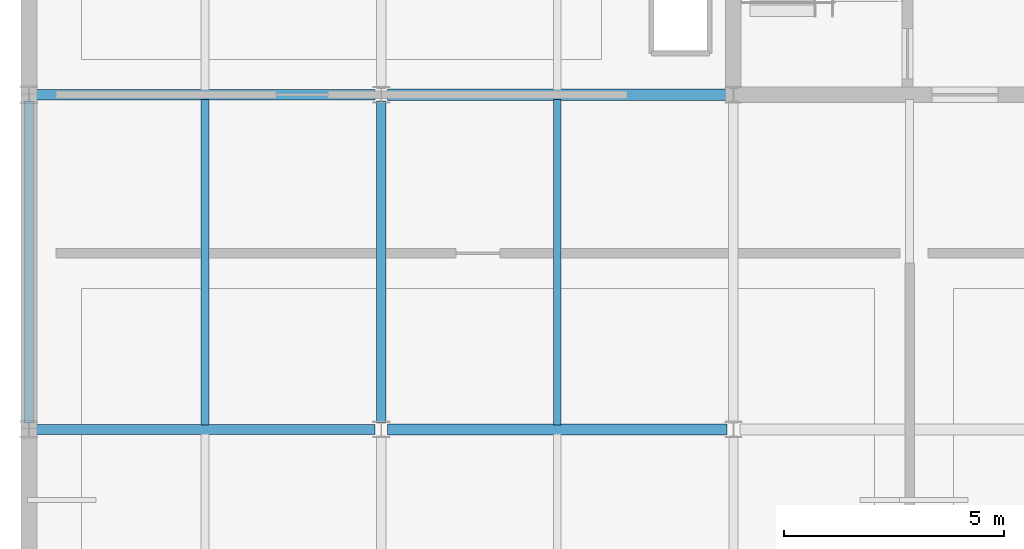
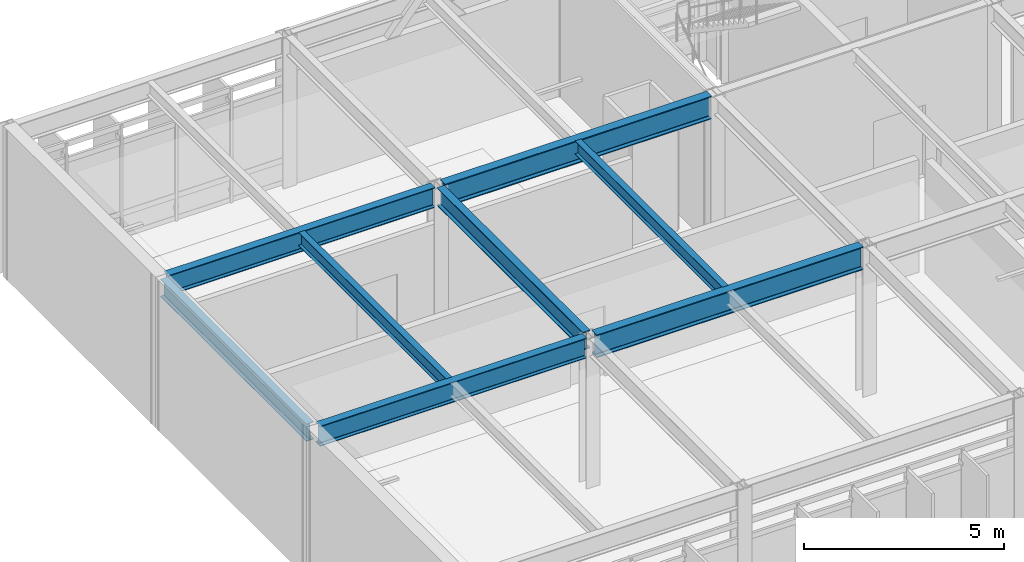
# One storey, part 23 of 104: 8 beams.
"""IFC4 building model written with IfcOpenShell, lengths in metres."""

from ifc_helpers import new_model, si_unit, direction, frame, origin, origin_2d, place, context, subcontext, project, spatial, i_section, extrude, material, material_profile, profile_set, type_object, element, save


model = new_model("IFC4")

# Units and contexts
model_context = context("Model", 3, precision=1e-05, world=origin(), true_north=direction((0.0, 1.0)))
body_context = subcontext(model_context, "Body", "Model", "MODEL_VIEW")
ifc_project = project(units=[si_unit("LENGTHUNIT", "METRE"), si_unit("AREAUNIT", "SQUARE_METRE"), si_unit("VOLUMEUNIT", "CUBIC_METRE"), si_unit("PLANEANGLEUNIT", "RADIAN"), si_unit("MASSUNIT", "GRAM", prefix="KILO")], contexts=[model_context])

# Site, building, storey
site_placement = place(None, origin())
site = spatial("IfcSite", under=ifc_project, at=site_placement, CompositionType="ELEMENT")
building_placement = place(site_placement, origin())
building = spatial("IfcBuilding", under=site, at=building_placement, Name="Zulena Civic Courthouse", CompositionType="ELEMENT")
storey_placement = place(building_placement, frame((0.0, 0.0, 10.800048828125)))
storey = spatial("IfcBuildingStorey", under=building, at=storey_placement, Name="L02", CompositionType="ELEMENT", Elevation=10.800048828125)

# Beams
ifc_material = material(Name="Steel ASTM A992 Grade 50", Category="steel")
ifc_material_profile_1 = material_profile(ifc_material, i_section(OverallWidth=0.214111328125, OverallDepth=0.549072265625, WebThickness=0.0146484375, FlangeThickness=0.023681640625, FilletRadius=0.0126953125, at=origin_2d()), Name="W21X93")
ifc_profile_set_1 = profile_set([ifc_material_profile_1], Name="Steel ASTM A992 Grade 50")
beam_type_1 = type_object("IfcBeamType", Name="Girder_W21X93", PredefinedType="BEAM", material=ifc_profile_set_1)
beam_1_placement = place(storey_placement, frame((12.0, 7.7451171875, 4.3154296875), z_axis=(0.0, 1.0, 0.0), x_axis=(-1.0, 0.0, 0.0)))
element("IfcBeam", 1, at=beam_1_placement, inside=storey, type_object=beam_type_1, Name="beam:Y:V2:L02:12.0:7.6_15.2", PredefinedType="BEAM", context=body_context, shape_type="SweptSolid", body=[
    extrude(i_section(OverallWidth=0.214111328125, OverallDepth=0.549072265625, WebThickness=0.0146484375, FlangeThickness=0.023681640625, FilletRadius=0.0126953125, at=origin_2d()), origin(), (0.0, 0.0, 1.0), 7.309814453125),
])
ifc_material_profile_2 = material_profile(ifc_material, i_section(OverallWidth=0.25390625, OverallDepth=0.701904296875, WebThickness=0.015380859375, FlangeThickness=0.02783203125, FilletRadius=0.0166015625, at=origin_2d()), Name="W27X129")
ifc_profile_set_2 = profile_set([ifc_material_profile_2], Name="Steel ASTM A992 Grade 50")
beam_type_2 = type_object("IfcBeamType", Name="Girder_W27X129", PredefinedType="BEAM", material=ifc_profile_set_2)
for number, where, z_axis, x_axis, name in (
    (2, (12.14501953125, 7.60009765625, 4.239013671875), (1.0, 0.0, 0.0), (0.0, 1.0, 0.0), "beam:X:V2:L02:7.6:12.0_20.0"),
    (3, (12.14501953125, 15.199951171875, 4.239013671875), (1.0, 0.0, 0.0), (0.0, 1.0, 0.0), "beam:X:V2:L02:15.2:12.0_20.0"),
):
    element("IfcBeam", number, at=place(storey_placement, frame(where, z_axis=z_axis, x_axis=x_axis)), inside=storey, type_object=beam_type_2, Name=name, PredefinedType="BEAM", context=body_context, shape_type="SweptSolid", body=[
        extrude(i_section(OverallWidth=0.25390625, OverallDepth=0.701904296875, WebThickness=0.015380859375, FlangeThickness=0.02783203125, FilletRadius=0.0166015625, at=origin_2d()), origin(), (0.0, 0.0, 1.0), 7.7099609375),
    ])
ifc_material_profile_3 = material_profile(ifc_material, i_section(OverallWidth=0.177978515625, OverallDepth=0.406005859375, WebThickness=0.0078125, FlangeThickness=0.0126953125, FilletRadius=0.01025390625, at=origin_2d()), Name="W16X40")
ifc_profile_set_3 = profile_set([ifc_material_profile_3], Name="Steel ASTM A992 Grade 50")
beam_type_3 = type_object("IfcBeamType", Name="Joist_W16X40", PredefinedType="JOIST", material=ifc_profile_set_3)
for number, where, z_axis, x_axis, name in (
    (4, (8.0, 7.705078125, 4.386962890625), (0.0, 1.0, 0.0), (-1.0, 0.0, 0.0), "joist:V2:L02:8.00:7.6_15.2"),
    (5, (16.0, 7.705078125, 4.386962890625), (0.0, 1.0, 0.0), (-1.0, 0.0, 0.0), "joist:V2:L02:16.00:7.6_15.2"),
):
    element("IfcBeam", number, at=place(storey_placement, frame(where, z_axis=z_axis, x_axis=x_axis)), inside=storey, type_object=beam_type_3, Name=name, PredefinedType="JOIST", context=body_context, shape_type="SweptSolid", body=[
        extrude(i_section(OverallWidth=0.177978515625, OverallDepth=0.406005859375, WebThickness=0.0078125, FlangeThickness=0.0126953125, FilletRadius=0.01025390625, at=origin_2d()), origin(), (0.0, 0.0, 1.0), 7.389892578125),
    ])
ifc_material_profile_4 = material_profile(ifc_material, i_section(OverallWidth=0.2099609375, OverallDepth=0.537109375, WebThickness=0.010986328125, FlangeThickness=0.017333984375, FilletRadius=0.0126953125, at=origin_2d()), Name="W21X68")
ifc_profile_set_4 = profile_set([ifc_material_profile_4], Name="Steel ASTM A992 Grade 50")
beam_type_4 = type_object("IfcBeamType", Name="Spandrel_W21X68", PredefinedType="SPANDREL", material=ifc_profile_set_4)
beam_2_placement = place(storey_placement, frame((4.0, 7.7451171875, 4.321533203125), z_axis=(0.0, 1.0, 0.0), x_axis=(-1.0, 0.0, 0.0)))
element("IfcBeam", 6, at=beam_2_placement, inside=storey, type_object=beam_type_4, Name="beam:Y:V2:L02:4.0:7.6_15.2", PredefinedType="SPANDREL", context=body_context, shape_type="SweptSolid", body=[
    extrude(i_section(OverallWidth=0.2099609375, OverallDepth=0.537109375, WebThickness=0.010986328125, FlangeThickness=0.017333984375, FilletRadius=0.0126953125, at=origin_2d()), origin(), (0.0, 0.0, 1.0), 7.309814453125),
])
ifc_material_profile_5 = material_profile(ifc_material, i_section(OverallWidth=0.22998046875, OverallDepth=0.616943359375, WebThickness=0.01318359375, FlangeThickness=0.022216796875, FilletRadius=0.0126953125, at=origin_2d()), Name="W24X94")
ifc_profile_set_5 = profile_set([ifc_material_profile_5], Name="Steel ASTM A992 Grade 50")
beam_type_5 = type_object("IfcBeamType", Name="Spandrel_W24X94", PredefinedType="SPANDREL", material=ifc_profile_set_5)
for number, where, z_axis, x_axis, name in (
    (7, (4.14501953125, 7.60009765625, 4.281494140625), (1.0, 0.0, 0.0), (0.0, 1.0, 0.0), "beam:X:V2:L02:7.6:4.0_12.0"),
    (8, (4.14501953125, 15.199951171875, 4.281494140625), (1.0, 0.0, 0.0), (0.0, 1.0, 0.0), "beam:X:V2:L02:15.2:4.0_12.0"),
):
    element("IfcBeam", number, at=place(storey_placement, frame(where, z_axis=z_axis, x_axis=x_axis)), inside=storey, type_object=beam_type_5, Name=name, PredefinedType="SPANDREL", context=body_context, shape_type="SweptSolid", body=[
        extrude(i_section(OverallWidth=0.22998046875, OverallDepth=0.616943359375, WebThickness=0.01318359375, FlangeThickness=0.022216796875, FilletRadius=0.0126953125, at=origin_2d()), origin(), (0.0, 0.0, 1.0), 7.7099609375),
    ])

save(model, "model.ifc")
